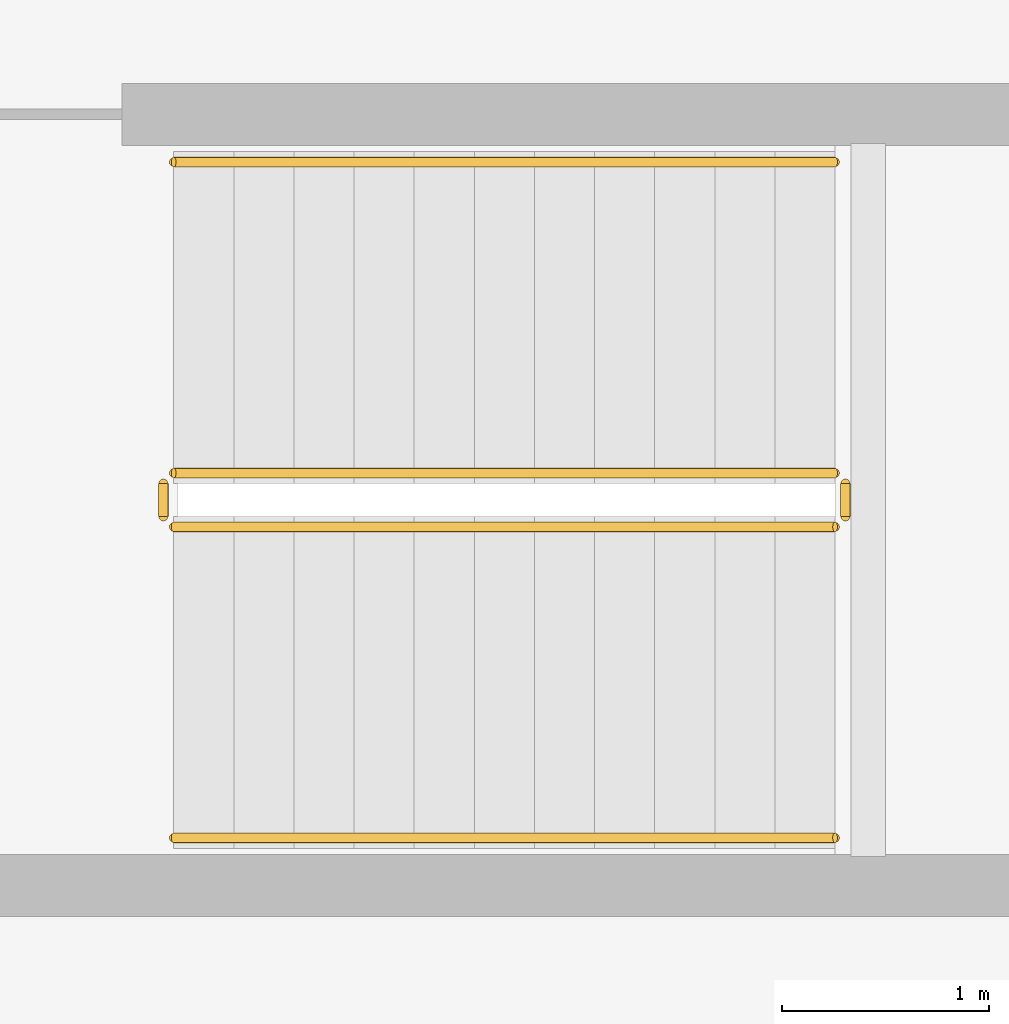
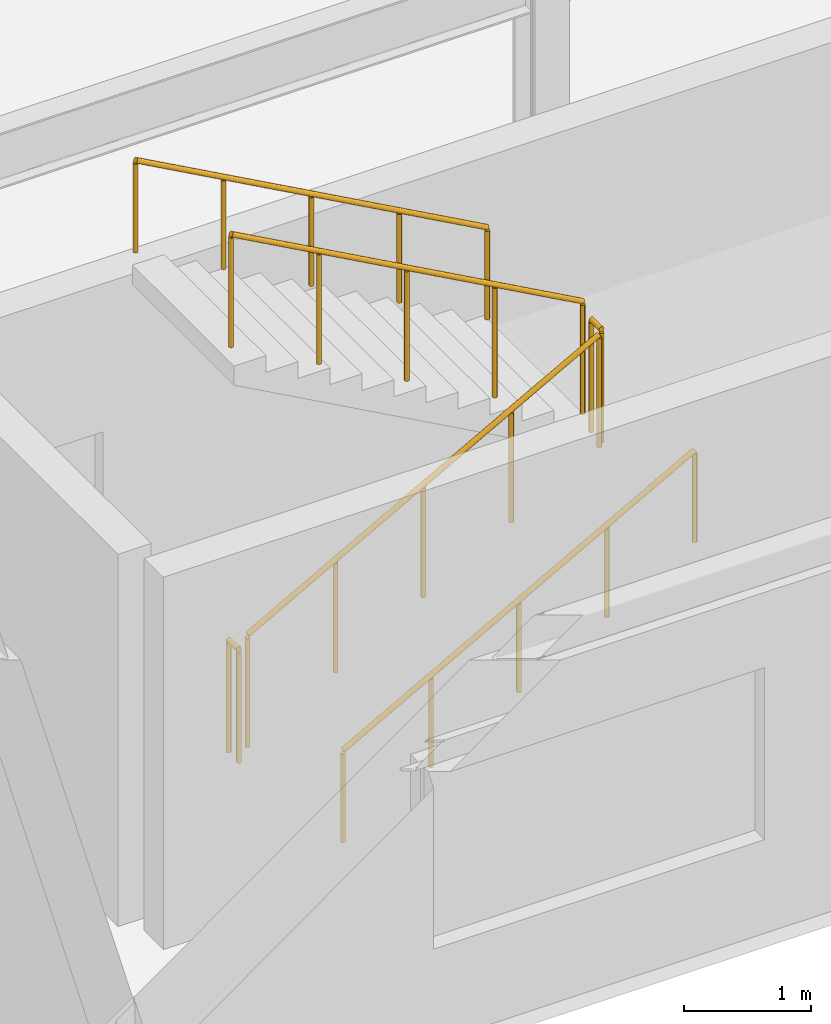
# One storey, part 89 of 96: 6 railings.
"""IFC4 building model written with IfcOpenShell, lengths in metres."""

from ifc_helpers import new_model, si_unit, direction, frame, origin, origin_2d, place, context, subcontext, project, spatial, circle, extrude, material, type_object, element, save


model = new_model("IFC4")

# Units and contexts
model_context = context("Model", 3, precision=1e-05, world=origin(), true_north=direction((0.0, 1.0)))
body_context = subcontext(model_context, "Body", "Model", "MODEL_VIEW")
ifc_project = project(units=[si_unit("LENGTHUNIT", "METRE"), si_unit("AREAUNIT", "SQUARE_METRE"), si_unit("VOLUMEUNIT", "CUBIC_METRE"), si_unit("PLANEANGLEUNIT", "RADIAN"), si_unit("MASSUNIT", "GRAM", prefix="KILO")], contexts=[model_context])

# Site, building, storey
site_placement = place(None, origin())
site = spatial("IfcSite", under=ifc_project, at=site_placement, CompositionType="ELEMENT")
building_placement = place(site_placement, origin())
building = spatial("IfcBuilding", under=site, at=building_placement, Name="Kranzveld Transit Interchange", CompositionType="ELEMENT")
storey_placement = place(building_placement, frame((0.0, 0.0, 9.52001953125)))
storey = spatial("IfcBuildingStorey", under=building, at=storey_placement, Name="L02", CompositionType="ELEMENT", Elevation=9.52001953125)

# Railings
ifc_material_1 = material(Name="Steel S355JR", Category="steel")
railing_type_1 = type_object("IfcRailingType", Name="Stair & Ramp Handrail Steel 900", PredefinedType="HANDRAIL", material=ifc_material_1)
railing_1_placement = place(storey_placement, frame((3.35009765625, 18.3701171875, 0.159912109375)))
element("IfcRailing", 1, at=railing_1_placement, inside=storey, type_object=railing_type_1, Name="L02 ST-CY1 stair handrail 1", PredefinedType="HANDRAIL", context=body_context, shape_type="SweptSolid", body=[
    extrude(circle(Radius=0.02392578125, at=origin_2d()), frame((0.0, 0.0, 0.8759765625), z_axis=(0.875572797087, 0.0, 0.483086200383), x_axis=(0.0, 1.0, 0.0)), (0.0, 0.0, 1.0), 3.643310546875),
    extrude(circle(Radius=0.02099609375, at=origin_2d()), origin(), (0.0, 0.0, 1.0), 0.849853515625),
    extrude(circle(Radius=0.02099609375, at=origin_2d()), frame((0.79736328125, 0.0, 0.43994140625)), (0.0, 0.0, 1.0), 0.849853515625),
    extrude(circle(Radius=0.02099609375, at=origin_2d()), frame((1.594970703125, 0.0, 0.8798828125)), (0.0, 0.0, 1.0), 0.849853515625),
    extrude(circle(Radius=0.02099609375, at=origin_2d()), frame((2.392578125, 0.0, 1.320068359375)), (0.0, 0.0, 1.0), 0.849853515625),
    extrude(circle(Radius=0.02099609375, at=origin_2d()), frame((3.18994140625, 0.0, 1.760009765625)), (0.0, 0.0, 1.0), 0.849853515625),
])
railing_2_placement = place(storey_placement, frame((6.5400390625, 21.6298828125, 2.080078125)))
element("IfcRailing", 2, at=railing_2_placement, inside=storey, type_object=railing_type_1, Name="L02 ST-CY1 stair handrail 2", PredefinedType="HANDRAIL", context=body_context, shape_type="SweptSolid", body=[
    extrude(circle(Radius=0.02392578125, at=origin_2d()), frame((0.0, 0.0, 0.8759765625), z_axis=(-0.875572797087, 0.0, 0.483086200383), x_axis=(0.0, -1.0, 0.0)), (0.0, 0.0, 1.0), 3.643310546875),
    extrude(circle(Radius=0.02099609375, at=origin_2d()), origin(), (0.0, 0.0, 1.0), 0.849853515625),
    extrude(circle(Radius=0.02099609375, at=origin_2d()), frame((-0.79736328125, 0.0, 0.43994140625)), (0.0, 0.0, 1.0), 0.849853515625),
    extrude(circle(Radius=0.02099609375, at=origin_2d()), frame((-1.594970703125, 0.0, 0.8798828125)), (0.0, 0.0, 1.0), 0.849853515625),
    extrude(circle(Radius=0.02099609375, at=origin_2d()), frame((-2.392578125, 0.0, 1.320068359375)), (0.0, 0.0, 1.0), 0.849853515625),
    extrude(circle(Radius=0.02099609375, at=origin_2d()), frame((-3.18994140625, 0.0, 1.760009765625)), (0.0, 0.0, 1.0), 0.849853515625),
])
ifc_material_2 = material(Name="Steel S355JR", Category="steel")
railing_type_2 = type_object("IfcRailingType", Name="Stair Well Guardrail Steel 1100", PredefinedType="GUARDRAIL", material=ifc_material_2)
railing_3_placement = place(storey_placement, frame((3.35009765625, 19.8701171875, 0.159912109375)))
element("IfcRailing", 3, at=railing_3_placement, inside=storey, type_object=railing_type_2, Name="L02 ST-CY1 stair guard 1", PredefinedType="GUARDRAIL", context=body_context, shape_type="SweptSolid", body=[
    extrude(circle(Radius=0.02392578125, at=origin_2d()), frame((0.0, 0.0, 1.076171875), z_axis=(0.875572797087, 0.0, 0.483086200383), x_axis=(0.0, 1.0, 0.0)), (0.0, 0.0, 1.0), 3.643310546875),
    extrude(circle(Radius=0.02099609375, at=origin_2d()), origin(), (0.0, 0.0, 1.0), 1.050048828125),
    extrude(circle(Radius=0.02099609375, at=origin_2d()), frame((0.79736328125, 0.0, 0.43994140625)), (0.0, 0.0, 1.0), 1.050048828125),
    extrude(circle(Radius=0.02099609375, at=origin_2d()), frame((1.594970703125, 0.0, 0.8798828125)), (0.0, 0.0, 1.0), 1.050048828125),
    extrude(circle(Radius=0.02099609375, at=origin_2d()), frame((2.392578125, 0.0, 1.320068359375)), (0.0, 0.0, 1.0), 1.050048828125),
    extrude(circle(Radius=0.02099609375, at=origin_2d()), frame((3.18994140625, 0.0, 1.760009765625)), (0.0, 0.0, 1.0), 1.050048828125),
])
railing_4_placement = place(storey_placement, frame((6.590087890625, 19.919921875, 1.919921875)))
element("IfcRailing", 4, at=railing_4_placement, inside=storey, type_object=railing_type_2, Name="L02 ST-CY1 stair guard 2", PredefinedType="GUARDRAIL", context=body_context, shape_type="SweptSolid", body=[
    extrude(circle(Radius=0.02392578125, at=origin_2d()), frame((0.0, 0.0, 1.076171875), z_axis=(0.0, 1.0, 0.0), x_axis=(-1.0, 0.0, 0.0)), (0.0, 0.0, 1.0), 0.16015625),
    extrude(circle(Radius=0.02099609375, at=origin_2d()), origin(), (0.0, 0.0, 1.0), 1.050048828125),
    extrude(circle(Radius=0.02099609375, at=origin_2d()), frame((0.0, 0.16015625, 0.0)), (0.0, 0.0, 1.0), 1.050048828125),
])
railing_5_placement = place(storey_placement, frame((6.5400390625, 20.1298828125, 2.080078125)))
element("IfcRailing", 5, at=railing_5_placement, inside=storey, type_object=railing_type_2, Name="L02 ST-CY1 stair guard 3", PredefinedType="GUARDRAIL", context=body_context, shape_type="SweptSolid", body=[
    extrude(circle(Radius=0.02392578125, at=origin_2d()), frame((0.0, 0.0, 1.076171875), z_axis=(-0.875572797087, 0.0, 0.483086200383), x_axis=(0.0, -1.0, 0.0)), (0.0, 0.0, 1.0), 3.643310546875),
    extrude(circle(Radius=0.02099609375, at=origin_2d()), origin(), (0.0, 0.0, 1.0), 1.050048828125),
    extrude(circle(Radius=0.02099609375, at=origin_2d()), frame((-0.79736328125, 0.0, 0.43994140625)), (0.0, 0.0, 1.0), 1.050048828125),
    extrude(circle(Radius=0.02099609375, at=origin_2d()), frame((-1.594970703125, 0.0, 0.8798828125)), (0.0, 0.0, 1.0), 1.050048828125),
    extrude(circle(Radius=0.02099609375, at=origin_2d()), frame((-2.392578125, 0.0, 1.320068359375)), (0.0, 0.0, 1.0), 1.050048828125),
    extrude(circle(Radius=0.02099609375, at=origin_2d()), frame((-3.18994140625, 0.0, 1.760009765625)), (0.0, 0.0, 1.0), 1.050048828125),
])
railing_6_placement = place(storey_placement, frame((3.300048828125, 19.919921875, 0.0)))
element("IfcRailing", 6, at=railing_6_placement, inside=storey, type_object=railing_type_2, Name="L02 ST-CY1 stair guard 4", PredefinedType="GUARDRAIL", context=body_context, shape_type="SweptSolid", body=[
    extrude(circle(Radius=0.02392578125, at=origin_2d()), frame((0.0, 0.0, 1.076171875), z_axis=(0.0, 1.0, 0.0), x_axis=(-1.0, 0.0, 0.0)), (0.0, 0.0, 1.0), 0.16015625),
    extrude(circle(Radius=0.02099609375, at=origin_2d()), origin(), (0.0, 0.0, 1.0), 1.050048828125),
    extrude(circle(Radius=0.02099609375, at=origin_2d()), frame((0.0, 0.16015625, 0.0)), (0.0, 0.0, 1.0), 1.050048828125),
])

save(model, "model.ifc")
